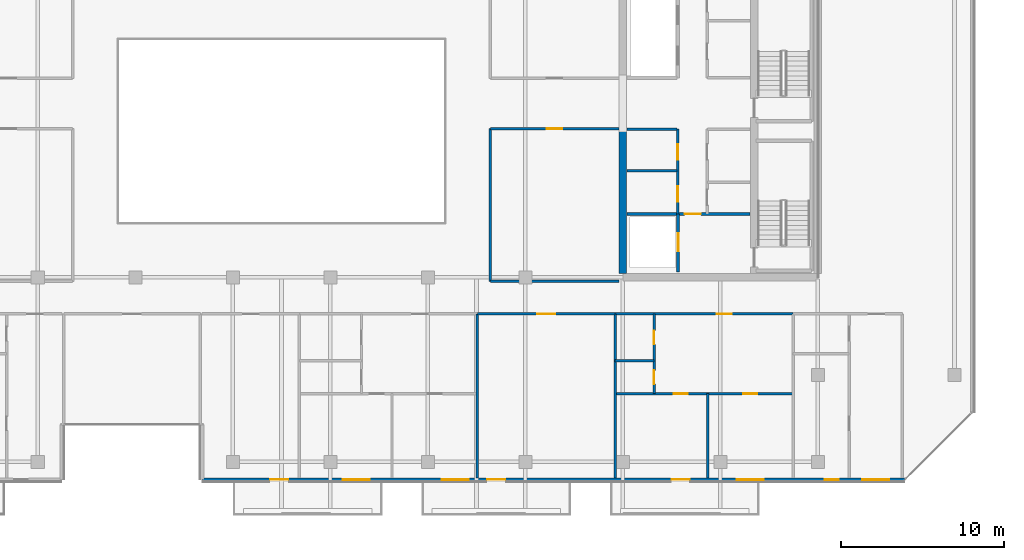
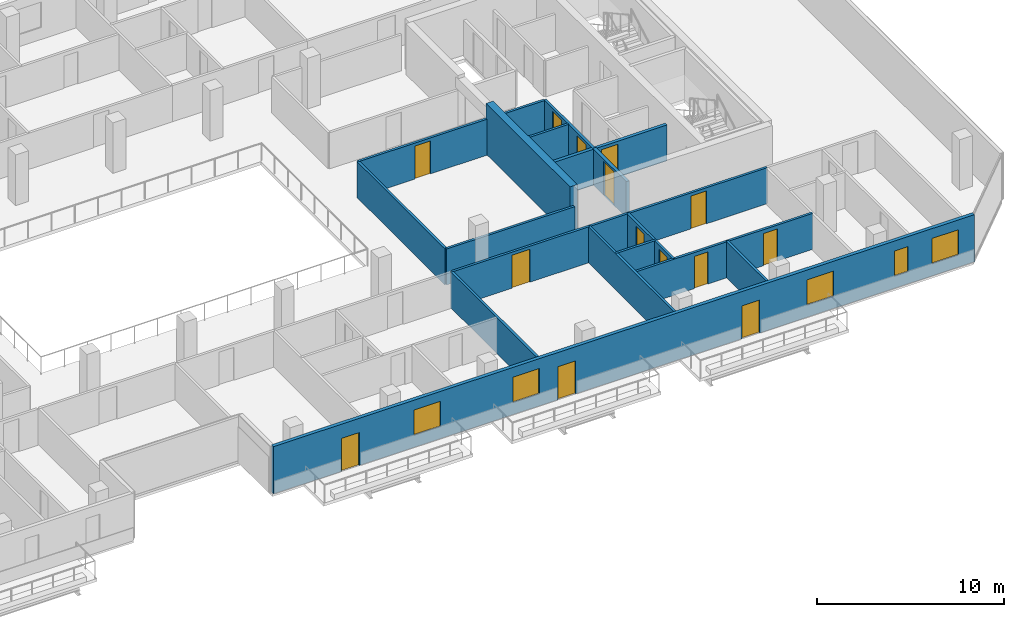
# One storey, part 20 of 29: 18 walls, 14 doors, 5 windows, 19 openings.
"""IFC4 building model written with IfcOpenShell, lengths in metres."""

from ifc_helpers import new_model, si_unit, direction, frame, frame_2d, origin, place, context, subcontext, project, spatial, rectangle, extrude, material, layer, layer_set, type_object, element, fill, save


model = new_model("IFC4")

# Units and contexts
model_context = context("Model", 3, precision=1e-05, world=origin(), true_north=direction((0.0, 1.0)))
body_context = subcontext(model_context, "Body", "Model", "MODEL_VIEW")
ifc_project = project(units=[si_unit("LENGTHUNIT", "METRE"), si_unit("AREAUNIT", "SQUARE_METRE"), si_unit("VOLUMEUNIT", "CUBIC_METRE"), si_unit("PLANEANGLEUNIT", "RADIAN"), si_unit("MASSUNIT", "GRAM", prefix="KILO")], contexts=[model_context])

# Site, building, storey
site_placement = place(None, origin())
site = spatial("IfcSite", under=ifc_project, at=site_placement, CompositionType="ELEMENT")
building_placement = place(site_placement, origin())
building = spatial("IfcBuilding", under=site, at=building_placement, Name="Tanjung Sevakor Pilgrim Tower", CompositionType="ELEMENT")
storey_placement = place(building_placement, frame((0.0, 0.0, 181.830078125)))
storey = spatial("IfcBuildingStorey", under=building, at=storey_placement, Name="L50", CompositionType="ELEMENT", Elevation=181.830078125)

# Walls
ifc_material_1 = material(Name="Concrete C60/75", Category="concrete")
ifc_layer_1 = layer(ifc_material_1, 0.449951171875)
ifc_layer_set_1 = layer_set([ifc_layer_1], Name="WALL-CW-450")
wall_type_1 = type_object("IfcWallType", Name="WALL-CW-450", PredefinedType="SHEAR", material=ifc_layer_set_1)
wall_1_placement = place(storey_placement, frame((78.0, 24.824951171875, 0.0), z_axis=(0.0, 0.0, 1.0), x_axis=(0.0, 1.0, 0.0)))
element("IfcWall", 1, at=wall_1_placement, inside=storey, type_object=wall_type_1, Name="L50 E Core Inner Shear Wall South", PredefinedType="SHEAR", context=body_context, shape_type="SweptSolid", body=[
    extrude(rectangle(XDim=8.97509765625, YDim=0.449951171875, at=frame_2d((4.487548828125, 0.0))), origin(), (0.0, 0.0, 1.0), 3.2998046875),
])
ifc_material_2 = material(Name="Concrete C40/50", Category="concrete")
ifc_layer_2 = layer(ifc_material_2, 0.14990234375)
ifc_layer_set_2 = layer_set([ifc_layer_2], Name="WT-COMP-150")
wall_type_2 = type_object("IfcWallType", Name="WT-COMP-150", PredefinedType="SOLIDWALL", material=ifc_layer_set_2)
for number, where, z_axis, x_axis, name in (
    (2, (78.2451171875, 31.14990234375, 0.0), (0.0, 0.0, 1.0), (1.0, 0.0, 0.0), "L50 Partition IW-L50-019"),
    (3, (78.2451171875, 33.719970703125, 0.0), (0.0, 0.0, 1.0), (1.0, 0.0, 0.0), "L50 Partition IW-L50-020"),
):
    element("IfcWall", number, at=place(storey_placement, frame(where, z_axis=z_axis, x_axis=x_axis)), inside=storey, type_object=wall_type_2, Name=name, PredefinedType="SOLIDWALL", context=body_context, shape_type="SweptSolid", body=[
        extrude(rectangle(XDim=3.074951171875, YDim=0.14990234375, at=frame_2d((1.53759765625, 0.0))), origin(), (0.0, 0.0, 1.0), 2.35009765625),
    ])

# Wall, openings, doors
wall_2_placement = place(storey_placement, frame((81.3798828125, 28.5, 0.0), z_axis=(0.0, 0.0, 1.0), x_axis=(0.0, 1.0, 0.0)))
wall_2 = element("IfcWall", 4, at=wall_2_placement, inside=storey, type_object=wall_type_2, Name="L50 Partition IW-L50-021", PredefinedType="SOLIDWALL", context=body_context, shape_type="SweptSolid", body=[
    extrude(rectangle(XDim=5.219970703125, YDim=0.14990234375, at=frame_2d((2.60986328125, 0.0))), origin(), (0.0, 0.0, 1.0), 2.35009765625),
])
opening_1_placement = place(wall_2_placement, frame((0.75, 0.0, 0.0)))
opening_1 = element("IfcOpeningElement", 5, at=opening_1_placement, cuts=wall_2, Name="Opening ID-FD2", PredefinedType="OPENING", context=body_context, shape_type="SweptSolid", body=[
    extrude(rectangle(XDim=0.949951171875, YDim=2.14990234375, at=frame_2d((0.47509765625, 1.074951171875))), frame((0.0, 0.0849609375, 0.0), z_axis=(0.0, -1.0, 0.0), x_axis=(1.0, 0.0, 0.0)), (0.0, 0.0, 1.0), 0.169921875),
])
opening_2_placement = place(wall_2_placement, frame((3.35009765625, 0.0, 0.0)))
opening_2 = element("IfcOpeningElement", 6, at=opening_2_placement, cuts=wall_2, Name="Opening ID-FD2", PredefinedType="OPENING", context=body_context, shape_type="SweptSolid", body=[
    extrude(rectangle(XDim=0.949951171875, YDim=2.14990234375, at=frame_2d((0.47509765625, 1.074951171875))), frame((0.0, 0.0849609375, 0.0), z_axis=(0.0, -1.0, 0.0), x_axis=(1.0, 0.0, 0.0)), (0.0, 0.0, 1.0), 0.169921875),
])
ifc_material_3 = material(Name="Fire-Rated Timber", Category="wood")
door_type_1 = type_object("IfcDoorType", Name="DT-FIRE-950", OperationType="NOTDEFINED", PredefinedType="DOOR", material=ifc_material_3)
door_1_placement = place(opening_1_placement, origin())
door_1 = element("IfcDoor", 7, at=door_1_placement, inside=storey, type_object=door_type_1, Name="L50 Accessible WC Door", OperationType="SINGLE_SWING_LEFT", OverallHeight=2.14990234375, OverallWidth=0.949951171875, PredefinedType="DOOR", context=body_context, shape_type="SweptSolid", body=[
    extrude(rectangle(XDim=0.949951171875, YDim=2.14990234375, at=frame_2d((0.47509765625, 1.074951171875))), frame((0.0, 0.02490234375, 0.0), z_axis=(0.0, -1.0, 0.0), x_axis=(1.0, 0.0, 0.0)), (0.0, 0.0, 1.0), 0.050048828125),
])
fill(opening_1, door_1)
door_2_placement = place(opening_2_placement, origin())
door_2 = element("IfcDoor", 8, at=door_2_placement, inside=storey, type_object=door_type_1, Name="L50 Core Service Door", OperationType="SINGLE_SWING_RIGHT", OverallHeight=2.14990234375, OverallWidth=0.949951171875, PredefinedType="DOOR", context=body_context, shape_type="SweptSolid", body=[
    extrude(rectangle(XDim=0.949951171875, YDim=2.14990234375, at=frame_2d((0.47509765625, 1.074951171875))), frame((0.0, 0.02490234375, 0.0), z_axis=(0.0, -1.0, 0.0), x_axis=(1.0, 0.0, 0.0)), (0.0, 0.0, 1.0), 0.050048828125),
])
fill(opening_2, door_2)

# Wall
wall_3_placement = place(storey_placement, frame((69.85009765625, 24.35009765625, 0.0), z_axis=(0.0, 0.0, 1.0), x_axis=(1.0, 0.0, 0.0)))
element("IfcWall", 9, at=wall_3_placement, inside=storey, type_object=wall_type_2, Name="L50 Partition IW-L50-033", PredefinedType="SOLIDWALL", context=body_context, shape_type="SweptSolid", body=[
    extrude(rectangle(XDim=7.90478515625, YDim=0.14990234375, at=frame_2d((3.952392578125, 0.0))), origin(), (0.0, 0.0, 1.0), 2.35009765625),
])

# Wall, opening, door
wall_4_placement = place(storey_placement, frame((69.85009765625, 33.75, 0.0), z_axis=(0.0, 0.0, 1.0), x_axis=(1.0, 0.0, 0.0)))
wall_4 = element("IfcWall", 10, at=wall_4_placement, inside=storey, type_object=wall_type_2, Name="L50 Partition IW-L50-034", PredefinedType="SOLIDWALL", context=body_context, shape_type="SweptSolid", body=[
    extrude(rectangle(XDim=7.90478515625, YDim=0.14990234375, at=frame_2d((3.952392578125, 0.0))), origin(), (0.0, 0.0, 1.0), 2.35009765625),
])
opening_3_placement = place(wall_4_placement, frame((3.4775390625, 0.0, 0.0)))
opening_3 = element("IfcOpeningElement", 11, at=opening_3_placement, cuts=wall_4, Name="Opening ID-RM1", PredefinedType="OPENING", context=body_context, shape_type="SweptSolid", body=[
    extrude(rectangle(XDim=0.949951171875, YDim=2.14990234375, at=frame_2d((0.47509765625, 1.074951171875))), frame((0.0, 0.0849609375, 0.0), z_axis=(0.0, -1.0, 0.0), x_axis=(1.0, 0.0, 0.0)), (0.0, 0.0, 1.0), 0.169921875),
])
ifc_material_4 = material(Name="Hardwood Timber", Category="wood")
door_type_2 = type_object("IfcDoorType", Name="DT-INT-950", OperationType="NOTDEFINED", PredefinedType="DOOR", material=ifc_material_4)
door_3_placement = place(opening_3_placement, origin())
door_3 = element("IfcDoor", 12, at=door_3_placement, inside=storey, type_object=door_type_2, Name="L50 East Inboard South Door", OperationType="SINGLE_SWING_LEFT", OverallHeight=2.14990234375, OverallWidth=0.949951171875, PredefinedType="DOOR", context=body_context, shape_type="SweptSolid", body=[
    extrude(rectangle(XDim=0.949951171875, YDim=2.14990234375, at=frame_2d((0.47509765625, 1.074951171875))), frame((0.0, 0.02490234375, 0.0), z_axis=(0.0, -1.0, 0.0), x_axis=(1.0, 0.0, 0.0)), (0.0, 0.0, 1.0), 0.050048828125),
])
fill(opening_3, door_3)

# Walls
wall_5_placement = place(storey_placement, frame((69.85009765625, 24.35009765625, 0.0), z_axis=(0.0, 0.0, 1.0), x_axis=(0.0, 1.0, 0.0)))
element("IfcWall", 13, at=wall_5_placement, inside=storey, type_object=wall_type_2, Name="L50 Partition IW-L50-035", PredefinedType="SOLIDWALL", context=body_context, shape_type="SweptSolid", body=[
    extrude(rectangle(XDim=9.39990234375, YDim=0.14990234375, at=frame_2d((4.699951171875, 0.0))), origin(), (0.0, 0.0, 1.0), 2.35009765625),
])
for number, where, z_axis, x_axis, name in (
    (14, (69.05322265625, 12.27001953125, 0.0), (0.0, 0.0, 1.0), (0.0, 1.0, 0.0), "L50 Partition IW-L50-060"),
    (15, (77.519775390625, 12.27001953125, 0.0), (0.0, 0.0, 1.0), (0.0, 1.0, 0.0), "L50 Partition IW-L50-066"),
):
    element("IfcWall", number, at=place(storey_placement, frame(where, z_axis=z_axis, x_axis=x_axis)), inside=storey, type_object=wall_type_2, Name=name, PredefinedType="SOLIDWALL", context=body_context, shape_type="SweptSolid", body=[
        extrude(rectangle(XDim=10.080078125, YDim=0.14990234375, at=frame_2d((5.0400390625, 0.0))), origin(), (0.0, 0.0, 1.0), 2.35009765625),
    ])

# Wall, opening, door
wall_6_placement = place(storey_placement, frame((69.05322265625, 22.35009765625, 0.0), z_axis=(0.0, 0.0, 1.0), x_axis=(1.0, 0.0, 0.0)))
wall_6 = element("IfcWall", 16, at=wall_6_placement, inside=storey, type_object=wall_type_2, Name="L50 Partition IW-L50-067", PredefinedType="SOLIDWALL", context=body_context, shape_type="SweptSolid", body=[
    extrude(rectangle(XDim=8.466552734375, YDim=0.14990234375, at=frame_2d((4.2333984375, 0.0))), origin(), (0.0, 0.0, 1.0), 2.35009765625),
])
opening_4_placement = place(wall_6_placement, frame((3.683349609375, 0.0, 0.0)))
opening_4 = element("IfcOpeningElement", 17, at=opening_4_placement, cuts=wall_6, Name="Opening ID-FD0", PredefinedType="OPENING", context=body_context, shape_type="SweptSolid", body=[
    extrude(rectangle(XDim=1.10009765625, YDim=2.14990234375, at=frame_2d((0.550048828125, 1.074951171875))), frame((0.0, 0.0849609375, 0.0), z_axis=(0.0, -1.0, 0.0), x_axis=(1.0, 0.0, 0.0)), (0.0, 0.0, 1.0), 0.169921875),
])
ifc_material_5 = material(Name="Fire-Rated Steel S355J2", Category="steel")
door_type_3 = type_object("IfcDoorType", Name="DT-FIRE-1100", OperationType="NOTDEFINED", PredefinedType="DOOR", material=ifc_material_5)
door_4_placement = place(opening_4_placement, origin())
door_4 = element("IfcDoor", 18, at=door_4_placement, inside=storey, type_object=door_type_3, Name="Communal Lounge Door", OperationType="SINGLE_SWING_RIGHT", OverallHeight=2.14990234375, OverallWidth=1.10009765625, PredefinedType="DOOR", context=body_context, shape_type="SweptSolid", body=[
    extrude(rectangle(XDim=1.10009765625, YDim=2.14990234375, at=frame_2d((0.550048828125, 1.074951171875))), frame((0.0, 0.02490234375, 0.0), z_axis=(0.0, -1.0, 0.0), x_axis=(1.0, 0.0, 0.0)), (0.0, 0.0, 1.0), 0.050048828125),
])
fill(opening_4, door_4)

wall_7_placement = place(storey_placement, frame((77.519775390625, 22.35009765625, 0.0), z_axis=(0.0, 0.0, 1.0), x_axis=(1.0, 0.0, 0.0)))
wall_7 = element("IfcWall", 19, at=wall_7_placement, inside=storey, type_object=wall_type_2, Name="L50 Partition IW-L50-073", PredefinedType="SOLIDWALL", context=body_context, shape_type="SweptSolid", body=[
    extrude(rectangle(XDim=10.956787109375, YDim=0.14990234375, at=frame_2d((5.478515625, 0.0))), origin(), (0.0, 0.0, 1.0), 2.35009765625),
])
opening_5_placement = place(wall_7_placement, frame((6.243408203125, 0.0, 0.0)))
opening_5 = element("IfcOpeningElement", 20, at=opening_5_placement, cuts=wall_7, Name="Opening ID-FD2", PredefinedType="OPENING", context=body_context, shape_type="SweptSolid", body=[
    extrude(rectangle(XDim=0.949951171875, YDim=2.14990234375, at=frame_2d((0.47509765625, 1.074951171875))), frame((0.0, 0.0849609375, 0.0), z_axis=(0.0, -1.0, 0.0), x_axis=(1.0, 0.0, 0.0)), (0.0, 0.0, 1.0), 0.169921875),
])
door_5_placement = place(opening_5_placement, origin())
door_5 = element("IfcDoor", 21, at=door_5_placement, inside=storey, type_object=door_type_1, Name="Suite Entrance", OperationType="SINGLE_SWING_LEFT", OverallHeight=2.14990234375, OverallWidth=0.949951171875, PredefinedType="DOOR", context=body_context, shape_type="SweptSolid", body=[
    extrude(rectangle(XDim=0.949951171875, YDim=2.14990234375, at=frame_2d((0.47509765625, 1.074951171875))), frame((0.0, 0.02490234375, 0.0), z_axis=(0.0, -1.0, 0.0), x_axis=(1.0, 0.0, 0.0)), (0.0, 0.0, 1.0), 0.050048828125),
])
fill(opening_5, door_5)

# Wall, openings, doors, windows
ifc_material_6 = material(Name="Precast concrete C45/55", Category="concrete")
ifc_layer_3 = layer(ifc_material_6, 0.219970703125)
ifc_layer_set_3 = layer_set([ifc_layer_3], Name="WT-EW-STN4")
wall_type_3 = type_object("IfcWallType", Name="WT-EW-STN4", PredefinedType="SOLIDWALL", material=ifc_layer_set_3)
wall_8_placement = place(storey_placement, frame((52.110107421875, 12.159912109375, 0.0), z_axis=(0.0, 0.0, 1.0), x_axis=(1.0, 0.0, 0.0)))
wall_8 = element("IfcWall", 22, at=wall_8_placement, inside=storey, type_object=wall_type_3, Name="L50 MAIN Exterior Wall 5", PredefinedType="SOLIDWALL", context=body_context, shape_type="SweptSolid", body=[
    extrude(rectangle(XDim=43.244384765625, YDim=0.219970703125, at=frame_2d((21.6220703125, 0.0))), origin(), (0.0, 0.0, 1.0), 3.080078125),
])
opening_6_placement = place(wall_8_placement, frame((4.18994140625, 0.0, 0.0)))
opening_6 = element("IfcOpeningElement", 23, at=opening_6_placement, cuts=wall_8, Name="Opening ED-BAL-1100", PredefinedType="OPENING", context=body_context, shape_type="SweptSolid", body=[
    extrude(rectangle(XDim=1.10009765625, YDim=2.14990234375, at=frame_2d((0.550048828125, 1.074951171875))), frame((0.0, 0.119873046875, 0.0), z_axis=(0.0, -1.0, 0.0), x_axis=(1.0, 0.0, 0.0)), (0.0, 0.0, 1.0), 0.239990234375),
])
opening_7_placement = place(wall_8_placement, frame((17.5400390625, 0.0, 0.0)))
opening_7 = element("IfcOpeningElement", 24, at=opening_7_placement, cuts=wall_8, Name="Opening ED-BAL-1100", PredefinedType="OPENING", context=body_context, shape_type="SweptSolid", body=[
    extrude(rectangle(XDim=1.10009765625, YDim=2.14990234375, at=frame_2d((0.550048828125, 1.074951171875))), frame((0.0, 0.119873046875, 0.0), z_axis=(0.0, -1.0, 0.0), x_axis=(1.0, 0.0, 0.0)), (0.0, 0.0, 1.0), 0.239990234375),
])
opening_8_placement = place(wall_8_placement, frame((28.889892578125, 0.0, 0.0)))
opening_8 = element("IfcOpeningElement", 25, at=opening_8_placement, cuts=wall_8, Name="Opening ED-BAL-1100", PredefinedType="OPENING", context=body_context, shape_type="SweptSolid", body=[
    extrude(rectangle(XDim=1.10009765625, YDim=2.14990234375, at=frame_2d((0.550048828125, 1.074951171875))), frame((0.0, 0.119873046875, 0.0), z_axis=(0.0, -1.0, 0.0), x_axis=(1.0, 0.0, 0.0)), (0.0, 0.0, 1.0), 0.239990234375),
])
opening_9_placement = place(wall_8_placement, frame((8.66015625, 0.0, 0.780029296875)))
opening_9 = element("IfcOpeningElement", 26, at=opening_9_placement, cuts=wall_8, Name="Opening WN-Z4-1660", PredefinedType="OPENING", context=body_context, shape_type="SweptSolid", body=[
    extrude(rectangle(XDim=1.64990234375, YDim=1.659912109375, at=frame_2d((0.824951171875, 0.830078125))), frame((0.0, 0.119873046875, 0.0), z_axis=(0.0, -1.0, 0.0), x_axis=(1.0, 0.0, 0.0)), (0.0, 0.0, 1.0), 0.239990234375),
])
opening_10_placement = place(wall_8_placement, frame((14.758544921875, 0.0, 0.780029296875)))
opening_10 = element("IfcOpeningElement", 27, at=opening_10_placement, cuts=wall_8, Name="Opening WN-Z4-1660", PredefinedType="OPENING", context=body_context, shape_type="SweptSolid", body=[
    extrude(rectangle(XDim=1.64990234375, YDim=1.659912109375, at=frame_2d((0.824951171875, 0.830078125))), frame((0.0, 0.119873046875, 0.0), z_axis=(0.0, -1.0, 0.0), x_axis=(1.0, 0.0, 0.0)), (0.0, 0.0, 1.0), 0.239990234375),
])
opening_11_placement = place(wall_8_placement, frame((32.90185546875, 0.0, 0.780029296875)))
opening_11 = element("IfcOpeningElement", 28, at=opening_11_placement, cuts=wall_8, Name="Opening WN-Z4-1660", PredefinedType="OPENING", context=body_context, shape_type="SweptSolid", body=[
    extrude(rectangle(XDim=1.64990234375, YDim=1.659912109375, at=frame_2d((0.824951171875, 0.830078125))), frame((0.0, 0.119873046875, 0.0), z_axis=(0.0, -1.0, 0.0), x_axis=(1.0, 0.0, 0.0)), (0.0, 0.0, 1.0), 0.239990234375),
])
opening_12_placement = place(wall_8_placement, frame((38.313232421875, 0.0, 0.780029296875)))
opening_12 = element("IfcOpeningElement", 29, at=opening_12_placement, cuts=wall_8, Name="Opening WN-SLM", PredefinedType="OPENING", context=body_context, shape_type="SweptSolid", body=[
    extrude(rectangle(XDim=0.85009765625, YDim=1.64990234375, at=frame_2d((0.425048828125, 0.824951171875))), frame((0.0, 0.119873046875, 0.0), z_axis=(0.0, -1.0, 0.0), x_axis=(1.0, 0.0, 0.0)), (0.0, 0.0, 1.0), 0.239990234375),
])
opening_13_placement = place(wall_8_placement, frame((40.614990234375, 0.0, 0.780029296875)))
opening_13 = element("IfcOpeningElement", 30, at=opening_13_placement, cuts=wall_8, Name="Opening WN-Z4-1660", PredefinedType="OPENING", context=body_context, shape_type="SweptSolid", body=[
    extrude(rectangle(XDim=1.64990234375, YDim=1.659912109375, at=frame_2d((0.824951171875, 0.830078125))), frame((0.0, 0.119873046875, 0.0), z_axis=(0.0, -1.0, 0.0), x_axis=(1.0, 0.0, 0.0)), (0.0, 0.0, 1.0), 0.239990234375),
])
ifc_material_7 = material(Name="Anodised Aluminium and Laminated Glass", Category="aluminium")
door_type_4 = type_object("IfcDoorType", Name="DTYP-ED-BAL-1100", OperationType="NOTDEFINED", PredefinedType="DOOR", material=ifc_material_7)
door_6_placement = place(opening_6_placement, frame((1.10009765625, 0.0, 0.0), z_axis=(0.0, 0.0, 1.0), x_axis=(-1.0, 0.0, 0.0)))
door_6 = element("IfcDoor", 31, at=door_6_placement, inside=storey, type_object=door_type_4, Name="L50 Balcony Door MAIN-S2", OperationType="SINGLE_SWING_RIGHT", OverallHeight=2.14990234375, OverallWidth=1.10009765625, PredefinedType="DOOR", context=body_context, shape_type="SweptSolid", body=[
    extrude(rectangle(XDim=1.10009765625, YDim=2.14990234375, at=frame_2d((0.550048828125, 1.074951171875))), frame((0.0, 0.02490234375, 0.0), z_axis=(0.0, -1.0, 0.0), x_axis=(1.0, 0.0, 0.0)), (0.0, 0.0, 1.0), 0.050048828125),
])
fill(opening_6, door_6)
door_7_placement = place(opening_7_placement, frame((1.10009765625, 0.0, 0.0), z_axis=(0.0, 0.0, 1.0), x_axis=(-1.0, 0.0, 0.0)))
door_7 = element("IfcDoor", 32, at=door_7_placement, inside=storey, type_object=door_type_4, Name="L50 Balcony Door MAIN-S3", OperationType="SINGLE_SWING_LEFT", OverallHeight=2.14990234375, OverallWidth=1.10009765625, PredefinedType="DOOR", context=body_context, shape_type="SweptSolid", body=[
    extrude(rectangle(XDim=1.10009765625, YDim=2.14990234375, at=frame_2d((0.550048828125, 1.074951171875))), frame((0.0, 0.02490234375, 0.0), z_axis=(0.0, -1.0, 0.0), x_axis=(1.0, 0.0, 0.0)), (0.0, 0.0, 1.0), 0.050048828125),
])
fill(opening_7, door_7)
door_8_placement = place(opening_8_placement, frame((1.10009765625, 0.0, 0.0), z_axis=(0.0, 0.0, 1.0), x_axis=(-1.0, 0.0, 0.0)))
door_8 = element("IfcDoor", 33, at=door_8_placement, inside=storey, type_object=door_type_4, Name="L50 Balcony Door MAIN-S4", OperationType="SINGLE_SWING_RIGHT", OverallHeight=2.14990234375, OverallWidth=1.10009765625, PredefinedType="DOOR", context=body_context, shape_type="SweptSolid", body=[
    extrude(rectangle(XDim=1.10009765625, YDim=2.14990234375, at=frame_2d((0.550048828125, 1.074951171875))), frame((0.0, 0.02490234375, 0.0), z_axis=(0.0, -1.0, 0.0), x_axis=(1.0, 0.0, 0.0)), (0.0, 0.0, 1.0), 0.050048828125),
])
fill(opening_8, door_8)
ifc_material_8 = material(Name="Thermally Broken Aluminium and Low-E Glass", Category="aluminium")
window_type_1 = type_object("IfcWindowType", Name="WTYP-WN-SLM", PartitioningType="SINGLE_PANEL", PredefinedType="WINDOW", material=ifc_material_8)
window_1_placement = place(opening_12_placement, origin())
window_1 = element("IfcWindow", 34, at=window_1_placement, inside=storey, type_object=window_type_1, Name="L50 Facade Window 04", OverallHeight=1.64990234375, OverallWidth=0.85009765625, PartitioningType="SINGLE_PANEL", PredefinedType="WINDOW", context=body_context, shape_type="SweptSolid", body=[
    extrude(rectangle(XDim=0.85009765625, YDim=1.64990234375, at=frame_2d((0.425048828125, 0.824951171875))), frame((0.0, 0.030029296875, 0.0), z_axis=(0.0, -1.0, 0.0), x_axis=(1.0, 0.0, 0.0)), (0.0, 0.0, 1.0), 0.06005859375),
])
fill(opening_12, window_1)
ifc_material_9 = material(Name="Thermally Broken Aluminium and Low-E Glass", Category="aluminium")
window_type_2 = type_object("IfcWindowType", Name="WTYP-WN-Z4-1660", PartitioningType="DOUBLE_PANEL_VERTICAL", PredefinedType="WINDOW", material=ifc_material_9)
window_2_placement = place(opening_9_placement, origin())
window_2 = element("IfcWindow", 35, at=window_2_placement, inside=storey, type_object=window_type_2, Name="L50 Facade Window 01", OverallHeight=1.659912109375, OverallWidth=1.64990234375, PartitioningType="SINGLE_PANEL", PredefinedType="WINDOW", context=body_context, shape_type="SweptSolid", body=[
    extrude(rectangle(XDim=1.64990234375, YDim=1.659912109375, at=frame_2d((0.824951171875, 0.830078125))), frame((0.0, 0.030029296875, 0.0), z_axis=(0.0, -1.0, 0.0), x_axis=(1.0, 0.0, 0.0)), (0.0, 0.0, 1.0), 0.06005859375),
])
fill(opening_9, window_2)
window_3_placement = place(opening_10_placement, origin())
window_3 = element("IfcWindow", 36, at=window_3_placement, inside=storey, type_object=window_type_2, Name="L50 Facade Window 02", OverallHeight=1.659912109375, OverallWidth=1.64990234375, PartitioningType="SINGLE_PANEL", PredefinedType="WINDOW", context=body_context, shape_type="SweptSolid", body=[
    extrude(rectangle(XDim=1.64990234375, YDim=1.659912109375, at=frame_2d((0.824951171875, 0.830078125))), frame((0.0, 0.030029296875, 0.0), z_axis=(0.0, -1.0, 0.0), x_axis=(1.0, 0.0, 0.0)), (0.0, 0.0, 1.0), 0.06005859375),
])
fill(opening_10, window_3)
window_4_placement = place(opening_11_placement, origin())
window_4 = element("IfcWindow", 37, at=window_4_placement, inside=storey, type_object=window_type_2, Name="L50 Facade Window 03", OverallHeight=1.659912109375, OverallWidth=1.64990234375, PartitioningType="SINGLE_PANEL", PredefinedType="WINDOW", context=body_context, shape_type="SweptSolid", body=[
    extrude(rectangle(XDim=1.64990234375, YDim=1.659912109375, at=frame_2d((0.824951171875, 0.830078125))), frame((0.0, 0.030029296875, 0.0), z_axis=(0.0, -1.0, 0.0), x_axis=(1.0, 0.0, 0.0)), (0.0, 0.0, 1.0), 0.06005859375),
])
fill(opening_11, window_4)
window_5_placement = place(opening_13_placement, origin())
window_5 = element("IfcWindow", 38, at=window_5_placement, inside=storey, type_object=window_type_2, Name="L50 Facade Window 05", OverallHeight=1.659912109375, OverallWidth=1.64990234375, PartitioningType="SINGLE_PANEL", PredefinedType="WINDOW", context=body_context, shape_type="SweptSolid", body=[
    extrude(rectangle(XDim=1.64990234375, YDim=1.659912109375, at=frame_2d((0.824951171875, 0.830078125))), frame((0.0, 0.030029296875, 0.0), z_axis=(0.0, -1.0, 0.0), x_axis=(1.0, 0.0, 0.0)), (0.0, 0.0, 1.0), 0.06005859375),
])
fill(opening_13, window_5)

# Wall, opening, door
ifc_material_10 = material(Name="Concrete C40/50", Category="concrete")
ifc_layer_4 = layer(ifc_material_10, 0.199951171875)
ifc_layer_set_4 = layer_set([ifc_layer_4], Name="WT-FPRT-200")
wall_type_4 = type_object("IfcWallType", Name="WT-FPRT-200", PredefinedType="SOLIDWALL", material=ifc_layer_set_4)
wall_9_placement = place(storey_placement, frame((81.39990234375, 24.919921875, 0.0), z_axis=(0.0, 0.0, 1.0), x_axis=(0.0, 1.0, 0.0)))
wall_9 = element("IfcWall", 39, at=wall_9_placement, inside=storey, type_object=wall_type_4, Name="L50 Partition IW-L50-014", PredefinedType="SOLIDWALL", context=body_context, shape_type="SweptSolid", body=[
    extrude(rectangle(XDim=3.580078125, YDim=0.199951171875, at=frame_2d((1.7900390625, 0.0))), origin(), (0.0, 0.0, 1.0), 2.35009765625),
])
opening_14_placement = place(wall_9_placement, frame((1.300048828125, 0.0, 0.0)))
opening_14 = element("IfcOpeningElement", 40, at=opening_14_placement, cuts=wall_9, Name="Opening LD-1100", PredefinedType="OPENING", context=body_context, shape_type="SweptSolid", body=[
    extrude(rectangle(XDim=1.10009765625, YDim=2.199951171875, at=frame_2d((0.550048828125, 1.10009765625))), frame((0.0, 0.10986328125, 0.0), z_axis=(0.0, -1.0, 0.0), x_axis=(1.0, 0.0, 0.0)), (0.0, 0.0, 1.0), 0.219970703125),
])
ifc_material_11 = material(Name="Brushed Stainless Steel S355J2", Category="steel")
door_type_5 = type_object("IfcDoorType", Name="DT-LIFT-1100", OperationType="SLIDING_TO_LEFT", PredefinedType="DOOR", material=ifc_material_11)
door_9_placement = place(opening_14_placement, origin())
door_9 = element("IfcDoor", 41, at=door_9_placement, inside=storey, type_object=door_type_5, Name="LD-FL-E", OperationType="SLIDING_TO_LEFT", OverallHeight=2.199951171875, OverallWidth=1.10009765625, PredefinedType="DOOR", context=body_context, shape_type="SweptSolid", body=[
    extrude(rectangle(XDim=1.10009765625, YDim=2.199951171875, at=frame_2d((0.550048828125, 1.10009765625))), frame((0.0, 0.02490234375, 0.0), z_axis=(0.0, -1.0, 0.0), x_axis=(1.0, 0.0, 0.0)), (0.0, 0.0, 1.0), 0.050048828125),
])
fill(opening_14, door_9)

wall_10_placement = place(storey_placement, frame((78.2451171875, 28.5, 0.0), z_axis=(0.0, 0.0, 1.0), x_axis=(1.0, 0.0, 0.0)))
wall_10 = element("IfcWall", 42, at=wall_10_placement, inside=storey, type_object=wall_type_4, Name="L50 Partition IW-L50-015", PredefinedType="SOLIDWALL", context=body_context, shape_type="SweptSolid", body=[
    extrude(rectangle(XDim=7.5849609375, YDim=0.199951171875, at=frame_2d((3.79248046875, 0.0))), origin(), (0.0, 0.0, 1.0), 2.35009765625),
])
opening_15_placement = place(wall_10_placement, frame((3.554931640625, 0.0, 0.0)))
opening_15 = element("IfcOpeningElement", 43, at=opening_15_placement, cuts=wall_10, Name="Opening ID-FD1", PredefinedType="OPENING", context=body_context, shape_type="SweptSolid", body=[
    extrude(rectangle(XDim=1.0, YDim=2.14990234375, at=frame_2d((0.5, 1.074951171875))), frame((0.0, 0.10986328125, 0.0), z_axis=(0.0, -1.0, 0.0), x_axis=(1.0, 0.0, 0.0)), (0.0, 0.0, 1.0), 0.219970703125),
])
ifc_material_12 = material(Name="Fire-Rated Steel S355J2", Category="steel")
door_type_6 = type_object("IfcDoorType", Name="DT-FIRE-1000", OperationType="NOTDEFINED", PredefinedType="DOOR", material=ifc_material_12)
door_10_placement = place(opening_15_placement, origin())
door_10 = element("IfcDoor", 44, at=door_10_placement, inside=storey, type_object=door_type_6, Name="Fire Lobby Door E", OperationType="SINGLE_SWING_RIGHT", OverallHeight=2.14990234375, OverallWidth=1.0, PredefinedType="DOOR", context=body_context, shape_type="SweptSolid", body=[
    extrude(rectangle(XDim=1.0, YDim=2.14990234375, at=frame_2d((0.5, 1.074951171875))), frame((0.0, 0.02490234375, 0.0), z_axis=(0.0, -1.0, 0.0), x_axis=(1.0, 0.0, 0.0)), (0.0, 0.0, 1.0), 0.050048828125),
])
fill(opening_15, door_10)

# Wall
ifc_material_13 = material(Name="Gypsum Board Partition", Category="gypsum board")
ifc_layer_5 = layer(ifc_material_13, 0.14990234375)
ifc_layer_set_5 = layer_set([ifc_layer_5], Name="WT-PART-150")
wall_type_5 = type_object("IfcWallType", Name="WT-PART-150", PredefinedType="PARTITIONING", material=ifc_layer_set_5)
wall_11_placement = place(storey_placement, frame((77.519775390625, 19.45751953125, 0.0), z_axis=(0.0, 0.0, 1.0), x_axis=(1.0, 0.0, 0.0)))
element("IfcWall", 45, at=wall_11_placement, inside=storey, type_object=wall_type_5, Name="L50 Partition IW-L50-069", PredefinedType="PARTITIONING", context=body_context, shape_type="SweptSolid", body=[
    extrude(rectangle(XDim=2.400146484375, YDim=0.14990234375, at=frame_2d((1.2001953125, 0.0))), origin(), (0.0, 0.0, 1.0), 2.35009765625),
])

# Wall, openings, doors
wall_12_placement = place(storey_placement, frame((79.919921875, 17.44775390625, 0.0), z_axis=(0.0, 0.0, 1.0), x_axis=(0.0, 1.0, 0.0)))
wall_12 = element("IfcWall", 46, at=wall_12_placement, inside=storey, type_object=wall_type_5, Name="L50 Partition IW-L50-070", PredefinedType="PARTITIONING", context=body_context, shape_type="SweptSolid", body=[
    extrude(rectangle(XDim=4.90234375, YDim=0.14990234375, at=frame_2d((2.451171875, 0.0))), origin(), (0.0, 0.0, 1.0), 2.35009765625),
])
opening_16_placement = place(wall_12_placement, frame((0.579833984375, 0.0, 0.0)))
opening_16 = element("IfcOpeningElement", 47, at=opening_16_placement, cuts=wall_12, Name="Opening ID-WC1", PredefinedType="OPENING", context=body_context, shape_type="SweptSolid", body=[
    extrude(rectangle(XDim=0.85009765625, YDim=2.10009765625, at=frame_2d((0.425048828125, 1.050048828125))), frame((0.0, 0.0849609375, 0.0), z_axis=(0.0, -1.0, 0.0), x_axis=(1.0, 0.0, 0.0)), (0.0, 0.0, 1.0), 0.169921875),
])
opening_17_placement = place(wall_12_placement, frame((3.031005859375, 0.0, 0.0)))
opening_17 = element("IfcOpeningElement", 48, at=opening_17_placement, cuts=wall_12, Name="Opening ID-WC1", PredefinedType="OPENING", context=body_context, shape_type="SweptSolid", body=[
    extrude(rectangle(XDim=0.85009765625, YDim=2.10009765625, at=frame_2d((0.425048828125, 1.050048828125))), frame((0.0, 0.0849609375, 0.0), z_axis=(0.0, -1.0, 0.0), x_axis=(1.0, 0.0, 0.0)), (0.0, 0.0, 1.0), 0.169921875),
])
ifc_material_14 = material(Name="Moisture-Resistant Timber", Category="wood")
door_type_7 = type_object("IfcDoorType", Name="DT-INT-850", OperationType="NOTDEFINED", PredefinedType="DOOR", material=ifc_material_14)
door_11_placement = place(opening_16_placement, origin())
door_11 = element("IfcDoor", 49, at=door_11_placement, inside=storey, type_object=door_type_7, Name="Suite Bathroom Door", OperationType="SINGLE_SWING_LEFT", OverallHeight=2.10009765625, OverallWidth=0.85009765625, PredefinedType="DOOR", context=body_context, shape_type="SweptSolid", body=[
    extrude(rectangle(XDim=0.85009765625, YDim=2.10009765625, at=frame_2d((0.425048828125, 1.050048828125))), frame((0.0, 0.02490234375, 0.0), z_axis=(0.0, -1.0, 0.0), x_axis=(1.0, 0.0, 0.0)), (0.0, 0.0, 1.0), 0.050048828125),
])
fill(opening_16, door_11)
door_12_placement = place(opening_17_placement, origin())
door_12 = element("IfcDoor", 50, at=door_12_placement, inside=storey, type_object=door_type_7, Name="Suite Kitchenette Door", OperationType="SINGLE_SWING_RIGHT", OverallHeight=2.10009765625, OverallWidth=0.85009765625, PredefinedType="DOOR", context=body_context, shape_type="SweptSolid", body=[
    extrude(rectangle(XDim=0.85009765625, YDim=2.10009765625, at=frame_2d((0.425048828125, 1.050048828125))), frame((0.0, 0.02490234375, 0.0), z_axis=(0.0, -1.0, 0.0), x_axis=(1.0, 0.0, 0.0)), (0.0, 0.0, 1.0), 0.050048828125),
])
fill(opening_17, door_12)

# Wall
wall_13_placement = place(storey_placement, frame((83.21728515625, 12.27001953125, 0.0), z_axis=(0.0, 0.0, 1.0), x_axis=(0.0, 1.0, 0.0)))
element("IfcWall", 51, at=wall_13_placement, inside=storey, type_object=wall_type_5, Name="L50 Partition IW-L50-071", PredefinedType="PARTITIONING", context=body_context, shape_type="SweptSolid", body=[
    extrude(rectangle(XDim=5.177734375, YDim=0.14990234375, at=frame_2d((2.5888671875, 0.0))), origin(), (0.0, 0.0, 1.0), 2.35009765625),
])

# Wall, openings, doors
wall_14_placement = place(storey_placement, frame((77.519775390625, 17.44775390625, 0.0), z_axis=(0.0, 0.0, 1.0), x_axis=(1.0, 0.0, 0.0)))
wall_14 = element("IfcWall", 52, at=wall_14_placement, inside=storey, type_object=wall_type_5, Name="L50 Partition IW-L50-072", PredefinedType="PARTITIONING", context=body_context, shape_type="SweptSolid", body=[
    extrude(rectangle(XDim=10.956787109375, YDim=0.14990234375, at=frame_2d((5.478515625, 0.0))), origin(), (0.0, 0.0, 1.0), 2.35009765625),
])
opening_18_placement = place(wall_14_placement, frame((3.623779296875, 0.0, 0.0)))
opening_18 = element("IfcOpeningElement", 53, at=opening_18_placement, cuts=wall_14, Name="Opening ID-WC1", PredefinedType="OPENING", context=body_context, shape_type="SweptSolid", body=[
    extrude(rectangle(XDim=0.85009765625, YDim=2.10009765625, at=frame_2d((0.425048828125, 1.050048828125))), frame((0.0, 0.0849609375, 0.0), z_axis=(0.0, -1.0, 0.0), x_axis=(1.0, 0.0, 0.0)), (0.0, 0.0, 1.0), 0.169921875),
])
opening_19_placement = place(wall_14_placement, frame((7.902099609375, 0.0, 0.0)))
opening_19 = element("IfcOpeningElement", 54, at=opening_19_placement, cuts=wall_14, Name="Opening ID-WC1", PredefinedType="OPENING", context=body_context, shape_type="SweptSolid", body=[
    extrude(rectangle(XDim=0.85009765625, YDim=2.10009765625, at=frame_2d((0.425048828125, 1.050048828125))), frame((0.0, 0.0849609375, 0.0), z_axis=(0.0, -1.0, 0.0), x_axis=(1.0, 0.0, 0.0)), (0.0, 0.0, 1.0), 0.169921875),
])
door_13_placement = place(opening_18_placement, origin())
door_13 = element("IfcDoor", 55, at=door_13_placement, inside=storey, type_object=door_type_7, Name="Suite Bedroom 1 Door", OperationType="SINGLE_SWING_LEFT", OverallHeight=2.10009765625, OverallWidth=0.85009765625, PredefinedType="DOOR", context=body_context, shape_type="SweptSolid", body=[
    extrude(rectangle(XDim=0.85009765625, YDim=2.10009765625, at=frame_2d((0.425048828125, 1.050048828125))), frame((0.0, 0.02490234375, 0.0), z_axis=(0.0, -1.0, 0.0), x_axis=(1.0, 0.0, 0.0)), (0.0, 0.0, 1.0), 0.050048828125),
])
fill(opening_18, door_13)
door_14_placement = place(opening_19_placement, origin())
door_14 = element("IfcDoor", 56, at=door_14_placement, inside=storey, type_object=door_type_7, Name="Suite Bedroom 2 Door", OperationType="SINGLE_SWING_RIGHT", OverallHeight=2.10009765625, OverallWidth=0.85009765625, PredefinedType="DOOR", context=body_context, shape_type="SweptSolid", body=[
    extrude(rectangle(XDim=0.85009765625, YDim=2.10009765625, at=frame_2d((0.425048828125, 1.050048828125))), frame((0.0, 0.02490234375, 0.0), z_axis=(0.0, -1.0, 0.0), x_axis=(1.0, 0.0, 0.0)), (0.0, 0.0, 1.0), 0.050048828125),
])
fill(opening_19, door_14)

save(model, "model.ifc")
